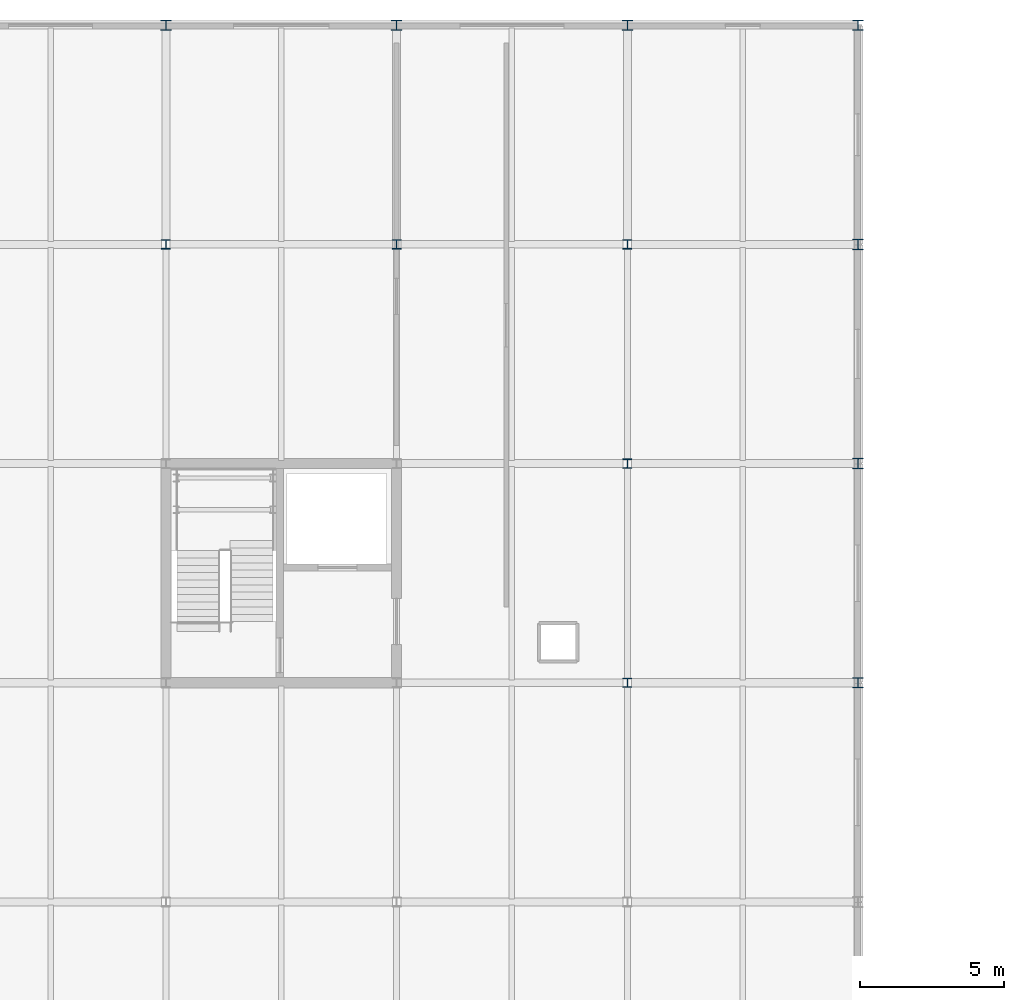
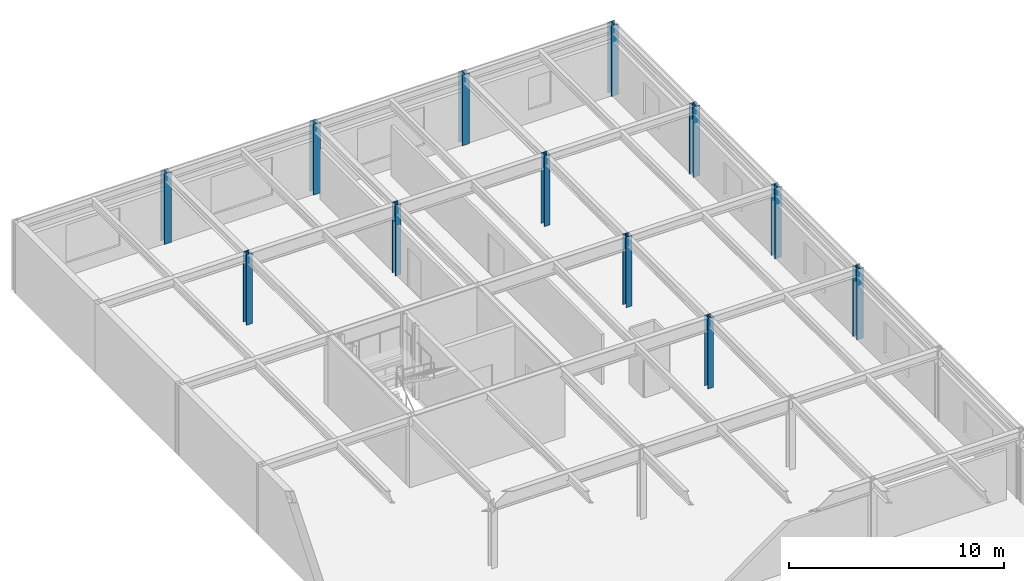
# One storey, part 8 of 45: 12 columns.
"""IFC4 building model written with IfcOpenShell, lengths in metres."""

import ifcopenshell
import ifcopenshell.guid

model = None  # the IFC model being written
_history = None  # IfcOwnerHistory: only IFC2X3 demands one
_inside = {}  # id of a spatial element -> (the spatial element, [elements in it])
_under = {}  # id of a project, library or spatial element -> (it, [spatial elements below it])
_declared = {}  # id of a project -> (the project, [libraries it declares])
_typed = {}  # id of a type object -> (the type object, [elements of that type])
_made_of = {}  # id of a material, layer set ... -> (it, [elements and type objects made of it])


def new_model(schema):
    """Start an empty IFC model of exactly this schema.

    Asked for "IFC4X3", IfcOpenShell would pick the latest addendum, in which some entities
    have other attributes; the version numbers below select the first issue.
    IFC2X3 requires an IfcOwnerHistory on every rooted entity: one is made here for all.
    """
    global model, _history
    if schema == "IFC4X3":
        model = ifcopenshell.file(schema_version=(4, 3, 0, 0))
    else:
        model = ifcopenshell.file(schema=schema)
    _inside.clear()
    _under.clear()
    _declared.clear()
    _typed.clear()
    _made_of.clear()
    _history = None
    if model.schema == "IFC2X3":
        org = make("IfcOrganization", Name="unknown")
        user = make(
            "IfcPersonAndOrganization",
            ThePerson=make("IfcPerson", FamilyName="unknown"),
            TheOrganization=org,
        )
        app = make(
            "IfcApplication",
            ApplicationDeveloper=org,
            Version="unknown",
            ApplicationFullName="unknown",
            ApplicationIdentifier="unknown",
        )
        _history = make(
            "IfcOwnerHistory",
            OwningUser=user,
            OwningApplication=app,
            ChangeAction="ADDED",
            CreationDate=0,
        )
    return model


def make(cls, **values):
    """One entity of the class cls with the attributes given. An attribute that is None is left unset."""
    return model.create_entity(
        cls, **{name: value for name, value in values.items() if value is not None}
    )


def rooted(cls, **values):
    """An entity with a GlobalId (a new one), such as an element, a storey or a relation."""
    return make(cls, GlobalId=ifcopenshell.guid.new(), OwnerHistory=_history, **values)


def si_unit(unit_type, name, prefix=None):
    """IfcSIUnit, for example si_unit("LENGTHUNIT", "METRE", prefix="MILLI")."""
    return make("IfcSIUnit", UnitType=unit_type, Prefix=prefix, Name=name)


def assignment(units):
    """IfcUnitAssignment: the units of a project."""
    return None if units is None else make("IfcUnitAssignment", Units=units)


def point(xyz):
    """IfcCartesianPoint."""
    return None if xyz is None else make("IfcCartesianPoint", Coordinates=xyz)


def direction(xyz):
    """IfcDirection."""
    return None if xyz is None else make("IfcDirection", DirectionRatios=xyz)


def frame(location, z_axis=None, x_axis=None):
    """IfcAxis2Placement3D, a coordinate frame: its origin and axes. An axis left out is left unset."""
    return make(
        "IfcAxis2Placement3D",
        Location=point(location),
        Axis=direction(z_axis),
        RefDirection=direction(x_axis),
    )


def frame_2d(location, x_axis=None):
    """IfcAxis2Placement2D, a coordinate frame in the plane: its origin and x axis."""
    return make(
        "IfcAxis2Placement2D", Location=point(location), RefDirection=direction(x_axis)
    )


def origin():
    """The frame at (0, 0, 0) with its axes left unset."""
    return frame((0.0, 0.0, 0.0))


def origin_2d():
    """The frame at (0, 0) in the plane with its x axis left unset."""
    return frame_2d((0.0, 0.0))


def place(relative_to, where):
    """IfcLocalPlacement: puts the frame where relative to a parent placement (None: the world)."""
    return make(
        "IfcLocalPlacement", PlacementRelTo=relative_to, RelativePlacement=where
    )


def context(
    kind, dimensions, precision=None, world=None, true_north=None, identifier=None
):
    """IfcGeometricRepresentationContext, for example the 3D "Model" context."""
    return make(
        "IfcGeometricRepresentationContext",
        ContextIdentifier=identifier,
        ContextType=kind,
        CoordinateSpaceDimension=dimensions,
        Precision=precision,
        WorldCoordinateSystem=world,
        TrueNorth=true_north,
    )


def subcontext(parent, identifier, kind, view, scale=None):
    """IfcGeometricRepresentationSubContext, for example "Body" below "Model"."""
    return make(
        "IfcGeometricRepresentationSubContext",
        ContextIdentifier=identifier,
        ContextType=kind,
        ParentContext=parent,
        TargetScale=scale,
        TargetView=view,
    )


def project(units=None, contexts=None):
    """IfcProject with its units and contexts."""
    return rooted(
        "IfcProject",
        Name="project",
        RepresentationContexts=contexts,
        UnitsInContext=assignment(units),
    )


def spatial(cls, under=None, at=None, **own):
    """A site, building, storey or space (cls), placed at a placement, below another one or the project."""
    s = rooted(cls, ObjectPlacement=at, **own)
    if under is not None:
        _under.setdefault(under.id(), (under, []))[1].append(s)
    return s


def profile(cls, at=None, kind="AREA", **sizes):
    """A parametric profile (cls). Its sizes go by their IFC names, for example OverallWidth=200.0."""
    return make(cls, ProfileType=kind, Position=at, **sizes)


def i_section(**sizes):
    """IfcIShapeProfileDef."""
    return profile("IfcIShapeProfileDef", **sizes)


def extrude(swept, where, along, depth):
    """IfcExtrudedAreaSolid: the profile swept, set in the frame where, extruded along a direction by depth."""
    return make(
        "IfcExtrudedAreaSolid",
        SweptArea=swept,
        Position=where,
        ExtrudedDirection=direction(along),
        Depth=depth,
    )


def shape(context_of_items, identifier, shape_type, items):
    """IfcShapeRepresentation: the items that make up one representation, for example the "Body"."""
    return make(
        "IfcShapeRepresentation",
        ContextOfItems=context_of_items,
        RepresentationIdentifier=identifier,
        RepresentationType=shape_type,
        Items=items,
    )


def material(Name=None, Category=None):
    """IfcMaterial."""
    return make("IfcMaterial", Name=Name, Category=Category)


def material_profile(
    of_material, cross_section, Name=None, Category=None, Priority=None
):
    """IfcMaterialProfile: a cross section and its material."""
    return make(
        "IfcMaterialProfile",
        Name=Name,
        Material=of_material,
        Profile=cross_section,
        Priority=Priority,
        Category=Category,
    )


def profile_set(profiles, Name=None, composite=None):
    """IfcMaterialProfileSet."""
    return make(
        "IfcMaterialProfileSet",
        Name=Name,
        MaterialProfiles=profiles,
        CompositeProfile=composite,
    )


def made_of(thing, what):
    """Note that an element or type object is made of a material, layer set ...; save() writes the relation."""
    if what is not None:
        _made_of.setdefault(what.id(), (what, []))[1].append(thing)
    return thing


def type_object(cls, material=None, **own):
    """A type object (cls), such as IfcWallType, which elements share."""
    return made_of(rooted(cls, **own), material)


def element(
    cls,
    number,
    at=None,
    inside=None,
    cuts=None,
    type_object=None,
    material=None,
    context=None,
    identifier="Body",
    shape_type=None,
    held_by="IfcProductDefinitionShape",
    body=None,
    shapes=None,
    **own,
):
    """One element of the class cls, such as IfcWall. Its Tag is "e" and its number.

    at: its placement. inside: the storey or other place that contains it. cuts: it is an
    opening in that element (IfcRelVoidsElement). A single representation is given by context,
    identifier, shape_type and body (its items); several are given by shapes. held_by: the class
    of the entity that holds the representations. save() writes the other relations.
    """
    e = rooted(cls, Tag="e%d" % number, ObjectPlacement=at, **own)
    if body is not None:
        shapes = [shape(context, identifier, shape_type, body)]
    if shapes is not None:
        e.Representation = make(held_by, Representations=shapes)
    if inside is not None:
        _inside.setdefault(inside.id(), (inside, []))[1].append(e)
    if cuts is not None:
        rooted(
            "IfcRelVoidsElement", RelatingBuildingElement=cuts, RelatedOpeningElement=e
        )
    if type_object is not None:
        _typed.setdefault(type_object.id(), (type_object, []))[1].append(e)
    return made_of(e, material)


def aggregate(whole, parts):
    """IfcRelAggregates: a whole, such as a stair, and the parts it consists of."""
    return rooted("IfcRelAggregates", RelatingObject=whole, RelatedObjects=parts)


def save(model, path):
    """Write the relations noted so far, then the file.

    IfcRelAggregates (storeys below a building ...), IfcRelContainedInSpatialStructure (elements
    in a storey), IfcRelDefinesByType, IfcRelAssociatesMaterial and IfcRelDeclares: one each for
    every whole, place, type object, material and project.
    """
    for whole, parts in _under.values():
        aggregate(whole, parts)
    for where, things in _inside.values():
        rooted(
            "IfcRelContainedInSpatialStructure",
            RelatedElements=things,
            RelatingStructure=where,
        )
    for kind, things in _typed.values():
        rooted("IfcRelDefinesByType", RelatedObjects=things, RelatingType=kind)
    for what, things in _made_of.values():
        rooted("IfcRelAssociatesMaterial", RelatedObjects=things, RelatingMaterial=what)
    for by, libraries in _declared.values():
        rooted("IfcRelDeclares", RelatingContext=by, RelatedDefinitions=libraries)
    model.write(path)


model = new_model("IFC4")

# Units and contexts
model_context = context("Model", 3, precision=1e-05, world=origin(), true_north=direction((0.0, 1.0)))
body_context = subcontext(model_context, "Body", "Model", "MODEL_VIEW")
ifc_project = project(units=[si_unit("LENGTHUNIT", "METRE"), si_unit("AREAUNIT", "SQUARE_METRE"), si_unit("VOLUMEUNIT", "CUBIC_METRE"), si_unit("PLANEANGLEUNIT", "RADIAN"), si_unit("MASSUNIT", "GRAM", prefix="KILO")], contexts=[model_context])

# Site, building, storey
site_placement = place(None, origin())
site = spatial("IfcSite", under=ifc_project, at=site_placement, CompositionType="ELEMENT")
building_placement = place(site_placement, origin())
building = spatial("IfcBuilding", under=site, at=building_placement, Name="Zulena Civic Courthouse", CompositionType="ELEMENT")
storey_placement = place(building_placement, frame((0.0, 0.0, 29.39990234375)))
storey = spatial("IfcBuildingStorey", under=building, at=storey_placement, Name="L06", CompositionType="ELEMENT", Elevation=29.39990234375)

# Columns
ifc_material = material(Name="Steel ASTM A992 Grade 50", Category="steel")
ifc_material_profile_1 = material_profile(ifc_material, i_section(OverallWidth=0.30908203125, OverallDepth=0.322998046875, WebThickness=0.013916015625, FlangeThickness=0.02294921875, FilletRadius=0.01513671875, at=origin_2d()), Name="W12X96")
ifc_profile_set_1 = profile_set([ifc_material_profile_1], Name="Steel ASTM A992 Grade 50")
column_type_1 = type_object("IfcColumnType", Name="Col_W12X96", PredefinedType="COLUMN", material=ifc_profile_set_1)
for number, where, z_axis, x_axis, name in (
    (1, (76.0, 83.60009765625, 0.0), (0.0, 0.0, 1.0), (1.0, 0.0, 0.0), "col:V5:L06:76.0:83.6"),
    (2, (84.0, 83.60009765625, 0.0), (0.0, 0.0, 1.0), (1.0, 0.0, 0.0), "col:V5:L06:84.0:83.6"),
    (3, (92.0, 68.39990234375, 0.0), (0.0, 0.0, 1.0), (1.0, 0.0, 0.0), "col:V5:L06:92.0:68.4"),
    (4, (92.0, 76.0, 0.0), (0.0, 0.0, 1.0), (1.0, 0.0, 0.0), "col:V5:L06:92.0:76.0"),
    (5, (92.0, 83.60009765625, 0.0), (0.0, 0.0, 1.0), (1.0, 0.0, 0.0), "col:V5:L06:92.0:83.6"),
):
    element("IfcColumn", number, at=place(storey_placement, frame(where, z_axis=z_axis, x_axis=x_axis)), inside=storey, type_object=column_type_1, Name=name, PredefinedType="COLUMN", context=body_context, shape_type="SweptSolid", body=[
        extrude(i_section(OverallWidth=0.30908203125, OverallDepth=0.322998046875, WebThickness=0.013916015625, FlangeThickness=0.02294921875, FilletRadius=0.01513671875, at=origin_2d()), origin(), (0.0, 0.0, 1.0), 4.0),
    ])
ifc_material_profile_2 = material_profile(ifc_material, i_section(OverallWidth=0.368896484375, OverallDepth=0.35595703125, WebThickness=0.01123046875, FlangeThickness=0.01806640625, FilletRadius=0.01513671875, at=origin_2d()), Name="W14X90")
ifc_profile_set_2 = profile_set([ifc_material_profile_2], Name="Steel ASTM A992 Grade 50")
column_type_2 = type_object("IfcColumnType", Name="Col_W14X90", PredefinedType="COLUMN", material=ifc_profile_set_2)
column_placement = place(storey_placement, frame((76.0, 91.199951171875, 0.0), z_axis=(0.0, 0.0, 1.0), x_axis=(1.0, 0.0, 0.0)))
element("IfcColumn", 6, at=column_placement, inside=storey, type_object=column_type_2, Name="col:V5:L06:76.0:91.2", PredefinedType="COLUMN", context=body_context, shape_type="SweptSolid", body=[
    extrude(i_section(OverallWidth=0.368896484375, OverallDepth=0.35595703125, WebThickness=0.01123046875, FlangeThickness=0.01806640625, FilletRadius=0.01513671875, at=origin_2d()), origin(), (0.0, 0.0, 1.0), 4.0),
])
ifc_material_profile_3 = material_profile(ifc_material, i_section(OverallWidth=0.3701171875, OverallDepth=0.360107421875, WebThickness=0.01220703125, FlangeThickness=0.019775390625, FilletRadius=0.01513671875, at=origin_2d()), Name="W14X99")
ifc_profile_set_3 = profile_set([ifc_material_profile_3], Name="Steel ASTM A992 Grade 50")
column_type_3 = type_object("IfcColumnType", Name="Col_W14X99", PredefinedType="COLUMN", material=ifc_profile_set_3)
for number, where, z_axis, x_axis, name in (
    (7, (84.0, 91.199951171875, 0.0), (0.0, 0.0, 1.0), (1.0, 0.0, 0.0), "col:V5:L06:84.0:91.2"),
    (8, (92.0, 91.199951171875, 0.0), (0.0, 0.0, 1.0), (1.0, 0.0, 0.0), "col:V5:L06:92.0:91.2"),
    (9, (100.0, 68.39990234375, 0.0), (0.0, 0.0, 1.0), (1.0, 0.0, 0.0), "col:V5:L06:100.0:68.4"),
    (10, (100.0, 76.0, 0.0), (0.0, 0.0, 1.0), (1.0, 0.0, 0.0), "col:V5:L06:100.0:76.0"),
    (11, (100.0, 83.60009765625, 0.0), (0.0, 0.0, 1.0), (1.0, 0.0, 0.0), "col:V5:L06:100.0:83.6"),
    (12, (100.0, 91.199951171875, 0.0), (0.0, 0.0, 1.0), (1.0, 0.0, 0.0), "col:V5:L06:100.0:91.2"),
):
    element("IfcColumn", number, at=place(storey_placement, frame(where, z_axis=z_axis, x_axis=x_axis)), inside=storey, type_object=column_type_3, Name=name, PredefinedType="COLUMN", context=body_context, shape_type="SweptSolid", body=[
        extrude(i_section(OverallWidth=0.3701171875, OverallDepth=0.360107421875, WebThickness=0.01220703125, FlangeThickness=0.019775390625, FilletRadius=0.01513671875, at=origin_2d()), origin(), (0.0, 0.0, 1.0), 4.0),
    ])

save(model, "model.ifc")
